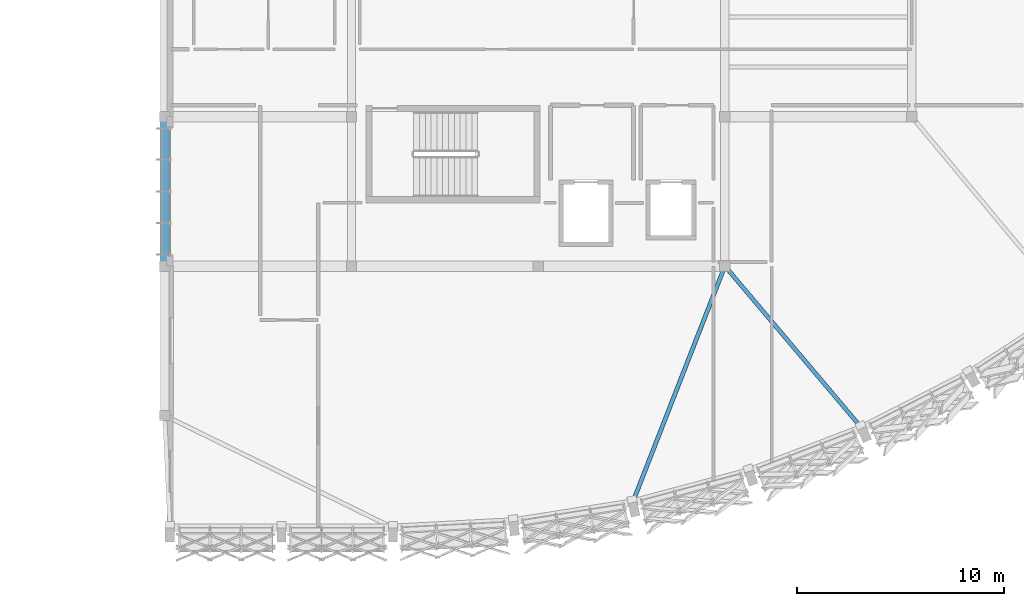
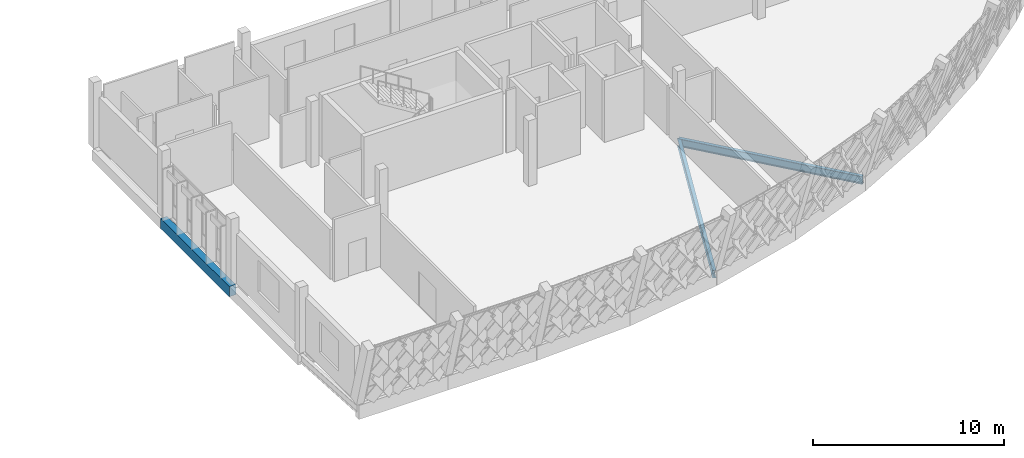
# One storey, part 5 of 24: 3 beams.
"""IFC4 building model written with IfcOpenShell, lengths in metres."""

from ifc_helpers import new_model, si_unit, direction, frame, origin, origin_2d, place, context, subcontext, project, spatial, rectangle, i_section, extrude, material, material_profile, profile_set, type_object, element, save


model = new_model("IFC4")

# Units and contexts
model_context = context("Model", 3, precision=1e-05, world=origin(), true_north=direction((0.0, 1.0)))
body_context = subcontext(model_context, "Body", "Model", "MODEL_VIEW")
ifc_project = project(units=[si_unit("LENGTHUNIT", "METRE"), si_unit("AREAUNIT", "SQUARE_METRE"), si_unit("VOLUMEUNIT", "CUBIC_METRE"), si_unit("PLANEANGLEUNIT", "RADIAN"), si_unit("MASSUNIT", "GRAM", prefix="KILO")], contexts=[model_context])

# Site, building, storey
site_placement = place(None, origin())
site = spatial("IfcSite", under=ifc_project, at=site_placement, CompositionType="ELEMENT")
building_placement = place(site_placement, origin())
building = spatial("IfcBuilding", under=site, at=building_placement, Name="Chiffa Square Polytechnic", CompositionType="ELEMENT")
storey_placement = place(building_placement, frame((0.0, 0.0, 22.199951171875)))
storey = spatial("IfcBuildingStorey", under=building, at=storey_placement, Name="L05", CompositionType="ELEMENT", Elevation=22.199951171875)

# Beams
ifc_material_1 = material(Name="Concrete C35/45", Category="concrete")
ifc_material_profile_1 = material_profile(ifc_material_1, rectangle(XDim=0.39990234375, YDim=0.64990234375, at=origin_2d()), Name="RC 400x650")
ifc_profile_set_1 = profile_set([ifc_material_profile_1], Name="Concrete C35/45")
beam_type_1 = type_object("IfcBeamType", Name="BM-RC-400X650", PredefinedType="BEAM", material=ifc_profile_set_1)
beam_1_placement = place(storey_placement, frame((112.199951171875, 14.39990234375, -0.5849609375), z_axis=(0.0, 1.0, 0.0), x_axis=(-1.0, 0.0, 0.0)))
element("IfcBeam", 1, at=beam_1_placement, inside=storey, type_object=beam_type_1, Name="Primary floor girder BM-V1-L05-Y-1122-0144", PredefinedType="BEAM", context=body_context, shape_type="SweptSolid", body=[
    extrude(rectangle(XDim=0.39990234375, YDim=0.64990234375, at=origin_2d()), origin(), (0.0, 0.0, 1.0), 7.2001953125),
])
ifc_material_2 = material(Name="Steel S355", Category="steel")
ifc_material_profile_2 = material_profile(ifc_material_2, i_section(OverallWidth=0.199951171875, OverallDepth=0.5, WebThickness=0.01025390625, FlangeThickness=0.01611328125, FilletRadius=0.02099609375, at=origin_2d()), Name="IPE 500")
ifc_profile_set_2 = profile_set([ifc_material_profile_2], Name="Steel S355")
beam_type_2 = type_object("IfcBeamType", Name="BM-STL-IPE500", PredefinedType="BEAM", material=ifc_profile_set_2)
beam_2_placement = place(storey_placement, frame((134.7529296875, 2.9990234375, -0.510009765625), z_axis=(0.363393415609, 0.931635779418, 0.0), x_axis=(-0.931635779418, 0.363393415609, 0.0)))
element("IfcBeam", 2, at=beam_2_placement, inside=storey, type_object=beam_type_2, Name="Prow radial tie girder BM-V1-RAD-L05-05", PredefinedType="BEAM", context=body_context, shape_type="SweptSolid", body=[
    extrude(i_section(OverallWidth=0.199951171875, OverallDepth=0.5, WebThickness=0.01025390625, FlangeThickness=0.01611328125, FilletRadius=0.02099609375, at=origin_2d()), origin(), (0.0, 0.0, 1.0), 12.237548828125),
])
beam_3_placement = place(storey_placement, frame((145.801025390625, 6.587890625, -0.510009765625), z_axis=(-0.645424174357, 0.763824348365, 0.0), x_axis=(-0.763824348365, -0.645424174357, 0.0)))
element("IfcBeam", 3, at=beam_3_placement, inside=storey, type_object=beam_type_2, Name="Prow radial tie girder BM-V1-RAD-L05-07", PredefinedType="BEAM", context=body_context, shape_type="SweptSolid", body=[
    extrude(i_section(OverallWidth=0.199951171875, OverallDepth=0.5, WebThickness=0.01025390625, FlangeThickness=0.01611328125, FilletRadius=0.02099609375, at=origin_2d()), origin(), (0.0, 0.0, 1.0), 10.2275390625),
])

save(model, "model.ifc")
